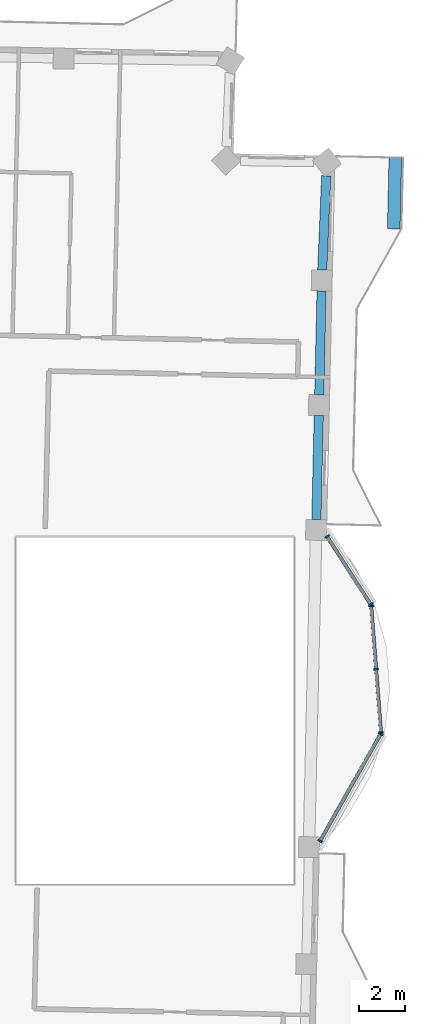
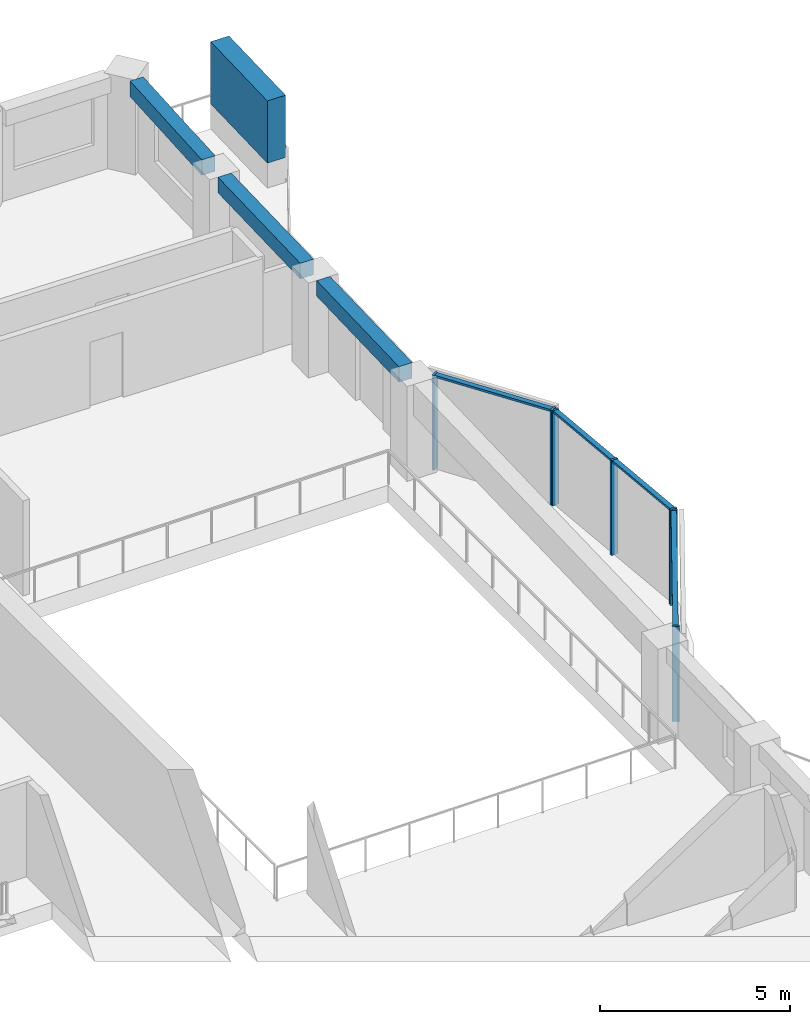
# One storey, part 2 of 15: 12 members, 3 beams, 3 elements without a shape of their own.
"""IFC4 building model written with IfcOpenShell, lengths in metres."""

from ifc_helpers import new_model, si_unit, direction, frame, origin, origin_2d, place, context, subcontext, project, spatial, rectangle, extrude, material, material_profile, profile_set, type_object, element, aggregate, save


model = new_model("IFC4")

# Units and contexts
model_context = context("Model", 3, precision=1e-05, world=origin(), true_north=direction((0.0, 1.0)))
body_context = subcontext(model_context, "Body", "Model", "MODEL_VIEW")
ifc_project = project(units=[si_unit("LENGTHUNIT", "METRE"), si_unit("AREAUNIT", "SQUARE_METRE"), si_unit("VOLUMEUNIT", "CUBIC_METRE"), si_unit("PLANEANGLEUNIT", "RADIAN"), si_unit("MASSUNIT", "GRAM", prefix="KILO")], contexts=[model_context])

# Site, building, storey
site_placement = place(None, origin())
site = spatial("IfcSite", under=ifc_project, at=site_placement, CompositionType="ELEMENT")
building_placement = place(site_placement, origin())
building = spatial("IfcBuilding", under=site, at=building_placement, Name="Mangrove Gate Tower", CompositionType="ELEMENT")
storey_placement = place(building_placement, frame((0.0, 0.0, 313.300048828125)))
storey = spatial("IfcBuildingStorey", under=building, at=storey_placement, Name="L80", CompositionType="ELEMENT", Elevation=313.300048828125)

# Curtain wall, members
ifc_material_1 = material(Name="Aluminium and glass curtain wall", Category="aluminium")
curtain_wall_type = type_object("IfcCurtainWallType", Name="Atrium garden-court glazing wall", PredefinedType="NOTDEFINED", material=ifc_material_1)
curtain_wall_1_placement = place(storey_placement, origin())
curtain_wall_1 = element("IfcCurtainWall", 1, at=curtain_wall_1_placement, inside=storey, type_object=curtain_wall_type, Name="Atrium garden-court glazing E1f1", PredefinedType="NOTDEFINED")
ifc_material_2 = material(Name="Aluminium alloy 6063-T6", Category="aluminium")
ifc_material_profile_1 = material_profile(ifc_material_2, rectangle(XDim=0.070068359375, YDim=0.199951171875, at=origin_2d()))
ifc_profile_set_1 = profile_set([ifc_material_profile_1], Name="Aluminium alloy 6063-T6")
member_type_1 = type_object("IfcMemberType", Name="Atrium garden-court glazing mullion 70x200", PredefinedType="MULLION", material=ifc_profile_set_1)
member_1_placement = place(storey_placement, frame((29.06884765625, -5.647216796875, 0.0), z_axis=(0.0, 0.0, 1.0), x_axis=(0.4925871539, 0.870263118725, 0.0)))
member_1 = element("IfcMember", 2, at=member_1_placement, type_object=member_type_1, Name="CWA mullion 1", PredefinedType="MULLION", context=body_context, shape_type="SweptSolid", body=[
    extrude(rectangle(XDim=0.070068359375, YDim=0.199951171875, at=origin_2d()), origin(), (0.0, 0.0, 1.0), 3.050048828125),
])
member_2_placement = place(storey_placement, frame((31.693359375, -1.01025390625, 0.0), z_axis=(0.0, 0.0, 1.0), x_axis=(0.4925871539, 0.870263118725, 0.0)))
member_2 = element("IfcMember", 3, at=member_2_placement, type_object=member_type_1, Name="CWA mullion 2", PredefinedType="MULLION", context=body_context, shape_type="SweptSolid", body=[
    extrude(rectangle(XDim=0.070068359375, YDim=0.199951171875, at=origin_2d()), origin(), (0.0, 0.0, 1.0), 3.050048828125),
])

curtain_wall_2_placement = place(storey_placement, origin())
curtain_wall_2 = element("IfcCurtainWall", 4, at=curtain_wall_2_placement, inside=storey, type_object=curtain_wall_type, Name="Atrium garden-court glazing E1f2", PredefinedType="NOTDEFINED")
member_3_placement = place(storey_placement, frame((31.7080078125, -0.94482421875, 0.0), z_axis=(0.0, 0.0, 1.0), x_axis=(-0.077023348212, 0.997029289354, 0.0)))
member_3 = element("IfcMember", 5, at=member_3_placement, type_object=member_type_1, Name="CWA mullion 1", PredefinedType="MULLION", context=body_context, shape_type="SweptSolid", body=[
    extrude(rectangle(XDim=0.070068359375, YDim=0.199951171875, at=origin_2d()), origin(), (0.0, 0.0, 1.0), 3.050048828125),
])
member_4_placement = place(storey_placement, frame((31.495849609375, 1.798583984375, 0.0), z_axis=(0.0, 0.0, 1.0), x_axis=(-0.077023348212, 0.997029289354, 0.0)))
member_4 = element("IfcMember", 6, at=member_4_placement, type_object=member_type_1, Name="CWA mullion 2", PredefinedType="MULLION", context=body_context, shape_type="SweptSolid", body=[
    extrude(rectangle(XDim=0.070068359375, YDim=0.199951171875, at=origin_2d()), origin(), (0.0, 0.0, 1.0), 3.050048828125),
])
member_5_placement = place(storey_placement, frame((31.283935546875, 4.542236328125, 0.0), z_axis=(0.0, 0.0, 1.0), x_axis=(-0.077023348212, 0.997029289354, 0.0)))
member_5 = element("IfcMember", 7, at=member_5_placement, type_object=member_type_1, Name="CWA mullion 3", PredefinedType="MULLION", context=body_context, shape_type="SweptSolid", body=[
    extrude(rectangle(XDim=0.070068359375, YDim=0.199951171875, at=origin_2d()), origin(), (0.0, 0.0, 1.0), 3.050048828125),
])

curtain_wall_3_placement = place(storey_placement, origin())
curtain_wall_3 = element("IfcCurtainWall", 8, at=curtain_wall_3_placement, inside=storey, type_object=curtain_wall_type, Name="Atrium garden-court glazing E1f3", PredefinedType="NOTDEFINED")
member_6_placement = place(storey_placement, frame((31.262451171875, 4.606689453125, 0.0), z_axis=(0.0, 0.0, 1.0), x_axis=(-0.540512472211, 0.841336001479, 0.0)))
member_6 = element("IfcMember", 9, at=member_6_placement, type_object=member_type_1, Name="CWA mullion 1", PredefinedType="MULLION", context=body_context, shape_type="SweptSolid", body=[
    extrude(rectangle(XDim=0.070068359375, YDim=0.199951171875, at=origin_2d()), origin(), (0.0, 0.0, 1.0), 3.050048828125),
])
member_7_placement = place(storey_placement, frame((29.371337890625, 7.550048828125, 0.0), z_axis=(0.0, 0.0, 1.0), x_axis=(-0.540512472211, 0.841336001479, 0.0)))
member_7 = element("IfcMember", 10, at=member_7_placement, type_object=member_type_1, Name="CWA mullion 2", PredefinedType="MULLION", context=body_context, shape_type="SweptSolid", body=[
    extrude(rectangle(XDim=0.070068359375, YDim=0.199951171875, at=origin_2d()), origin(), (0.0, 0.0, 1.0), 3.050048828125),
])

# Member
ifc_material_3 = material(Name="Aluminium alloy 6063-T6", Category="aluminium")
ifc_material_profile_2 = material_profile(ifc_material_3, rectangle(XDim=0.070068359375, YDim=0.14990234375, at=origin_2d()))
ifc_profile_set_2 = profile_set([ifc_material_profile_2], Name="Aluminium alloy 6063-T6")
member_type_2 = type_object("IfcMemberType", Name="Atrium garden-court glazing transom 70x150", PredefinedType="USERDEFINED", material=ifc_profile_set_2)
member_8_placement = place(storey_placement, frame((29.0859375, -5.61669921875, 3.014892578125), z_axis=(0.492589594548, 0.870261737262, 0.0), x_axis=(0.0, 0.0, 1.0)))
member_8 = element("IfcMember", 11, at=member_8_placement, type_object=member_type_2, Name="CWA transom 1.2", ObjectType="TRANSOM", PredefinedType="USERDEFINED", context=body_context, shape_type="SweptSolid", body=[
    extrude(rectangle(XDim=0.070068359375, YDim=0.14990234375, at=origin_2d()), origin(), (0.0, 0.0, 1.0), 5.258056640625),
])

aggregate(curtain_wall_1, [member_1, member_2, member_8])

member_9_placement = place(storey_placement, frame((31.705322265625, -0.909912109375, 3.014892578125), z_axis=(-0.077114223205, 0.997022264836, 0.0), x_axis=(0.0, 0.0, 1.0)))
member_9 = element("IfcMember", 12, at=member_9_placement, type_object=member_type_2, Name="CWA transom 1.2", ObjectType="TRANSOM", PredefinedType="USERDEFINED", context=body_context, shape_type="SweptSolid", body=[
    extrude(rectangle(XDim=0.070068359375, YDim=0.14990234375, at=origin_2d()), origin(), (0.0, 0.0, 1.0), 2.681640625),
])

member_10_placement = place(storey_placement, frame((31.4931640625, 1.83349609375, 3.014892578125), z_axis=(-0.07701672858, 0.997029800718, 0.0), x_axis=(0.0, 0.0, 1.0)))
member_10 = element("IfcMember", 13, at=member_10_placement, type_object=member_type_2, Name="CWA transom 2.2", ObjectType="TRANSOM", PredefinedType="USERDEFINED", context=body_context, shape_type="SweptSolid", body=[
    extrude(rectangle(XDim=0.070068359375, YDim=0.14990234375, at=origin_2d()), origin(), (0.0, 0.0, 1.0), 2.681884765625),
])

aggregate(curtain_wall_2, [member_3, member_4, member_5, member_9, member_10])

member_11_placement = place(storey_placement, frame((31.243408203125, 4.635986328125, 3.014892578125), z_axis=(-0.540455251262, 0.841372760067, 0.0), x_axis=(0.0, 0.0, 1.0)))
member_11 = element("IfcMember", 14, at=member_11_placement, type_object=member_type_2, Name="CWA transom 1.2", ObjectType="TRANSOM", PredefinedType="USERDEFINED", context=body_context, shape_type="SweptSolid", body=[
    extrude(rectangle(XDim=0.070068359375, YDim=0.14990234375, at=origin_2d()), origin(), (0.0, 0.0, 1.0), 3.4287109375),
])

aggregate(curtain_wall_3, [member_6, member_7, member_11])

ifc_material_4 = material(Name="Planting on aluminium trellis", Category="aluminium")
ifc_material_profile_3 = material_profile(ifc_material_4, rectangle(XDim=0.550048828125, YDim=2.0, at=origin_2d()))
ifc_profile_set_3 = profile_set([ifc_material_profile_3], Name="Planting on aluminium trellis")
member_type_3 = type_object("IfcMemberType", Name="Balcony greenery screen 550x2000", PredefinedType="USERDEFINED", material=ifc_profile_set_3)
member_12_placement = place(storey_placement, frame((32.260009765625, 20.885986328125, 1.800048828125), z_axis=(0.022596213667, 0.999744672968, 0.0), x_axis=(-0.999744672968, 0.022596213667, 0.0)))
element("IfcMember", 15, at=member_12_placement, inside=storey, type_object=member_type_3, Name="GREEN SCREEN L80 E1.1", ObjectType="PLANTING", PredefinedType="USERDEFINED", context=body_context, shape_type="SweptSolid", body=[
    extrude(rectangle(XDim=0.550048828125, YDim=2.0, at=origin_2d()), origin(), (0.0, 0.0, 1.0), 3.100830078125),
])

# Beams
ifc_material_5 = material(Name="Concrete C50/60", Category="concrete")
ifc_material_profile_4 = material_profile(ifc_material_5, rectangle(XDim=0.39990234375, YDim=0.5, at=origin_2d()))
ifc_profile_set_4 = profile_set([ifc_material_profile_4], Name="Concrete C50/60")
beam_type = type_object("IfcBeamType", Name="Edge beam RC 400x500 C50/60", PredefinedType="BEAM", material=ifc_profile_set_4)
beam_1_placement = place(storey_placement, frame((28.908447265625, 8.28515625, 2.800048828125), z_axis=(0.022744778057, 0.999741304074, 0.0), x_axis=(-0.999741304074, 0.022744778057, 0.0)))
element("IfcBeam", 16, at=beam_1_placement, inside=storey, type_object=beam_type, Name="Edge beam L80 18", PredefinedType="BEAM", context=body_context, shape_type="SweptSolid", body=[
    extrude(rectangle(XDim=0.39990234375, YDim=0.5, at=origin_2d()), origin(), (0.0, 0.0, 1.0), 4.50830078125),
])
beam_2_placement = place(storey_placement, frame((29.03125, 13.692138671875, 2.800048828125), z_axis=(0.022587290064, 0.999744874619, 0.0), x_axis=(-0.999744874619, 0.022587290064, 0.0)))
element("IfcBeam", 17, at=beam_2_placement, inside=storey, type_object=beam_type, Name="Edge beam L80 19", PredefinedType="BEAM", context=body_context, shape_type="SweptSolid", body=[
    extrude(rectangle(XDim=0.39990234375, YDim=0.5, at=origin_2d()), origin(), (0.0, 0.0, 1.0), 4.50732421875),
])
beam_3_placement = place(storey_placement, frame((29.162109375, 19.097900390625, 2.800048828125), z_axis=(0.042425880864, 0.999099616972, 0.0), x_axis=(-0.999099616972, 0.042425880864, 0.0)))
element("IfcBeam", 18, at=beam_3_placement, inside=storey, type_object=beam_type, Name="Edge beam L80 20", PredefinedType="BEAM", context=body_context, shape_type="SweptSolid", body=[
    extrude(rectangle(XDim=0.39990234375, YDim=0.5, at=origin_2d()), origin(), (0.0, 0.0, 1.0), 4.085693359375),
])

save(model, "model.ifc")
